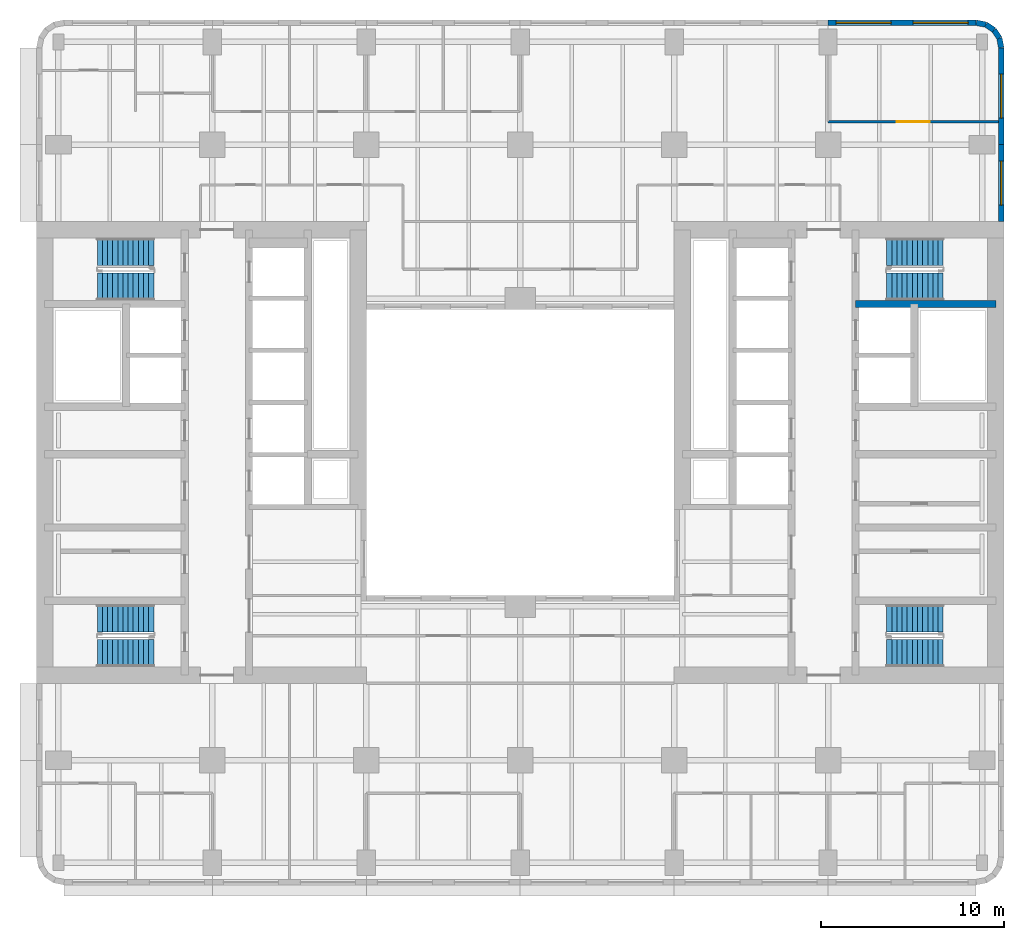
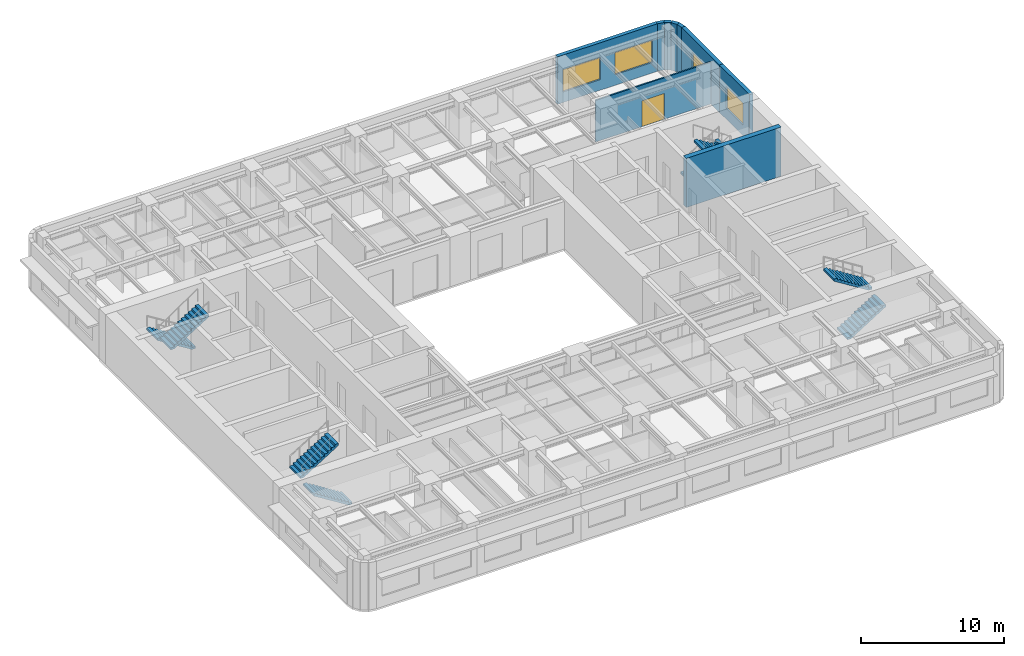
# One storey, part 8 of 11: 9 walls, 8 stair flights, 4 windows, 1 door, 5 openings, 4 elements without a shape of their own.
"""IFC4 building model written with IfcOpenShell, lengths in metres."""

from ifc_helpers import new_model, si_unit, direction, frame, frame_2d, origin, place, context, subcontext, project, spatial, polyline, rectangle, outline, extrude, material, layer, layer_set, type_object, element, fill, aggregate, save


model = new_model("IFC4")

# Units and contexts
model_context = context("Model", 3, precision=1e-05, world=origin(), true_north=direction((0.0, 1.0)))
body_context = subcontext(model_context, "Body", "Model", "MODEL_VIEW")
ifc_project = project(units=[si_unit("LENGTHUNIT", "METRE"), si_unit("AREAUNIT", "SQUARE_METRE"), si_unit("VOLUMEUNIT", "CUBIC_METRE"), si_unit("PLANEANGLEUNIT", "RADIAN"), si_unit("MASSUNIT", "GRAM", prefix="KILO")], contexts=[model_context])

# Site, building, storey
site_placement = place(None, origin())
site = spatial("IfcSite", under=ifc_project, at=site_placement, CompositionType="ELEMENT")
building_placement = place(site_placement, origin())
building = spatial("IfcBuilding", under=site, at=building_placement, Name="Claustro Exchange Tower", CompositionType="ELEMENT")
storey_placement = place(building_placement, frame((0.0, 0.0, 126.0)))
storey = spatial("IfcBuildingStorey", under=building, at=storey_placement, Name="L28", CompositionType="ELEMENT", Elevation=126.0)

# Wall, opening, door
ifc_material_1 = material(Name="Laminated glass in aluminium frame", Category="aluminium")
ifc_layer_1 = layer(ifc_material_1, 0.1201171875)
ifc_layer_set_1 = layer_set([ifc_layer_1], Name="Laminated glass in aluminium frame")
wall_type_1 = type_object("IfcWallType", Name="P2 120 glazed partition", PredefinedType="PARTITIONING", material=ifc_layer_set_1)
wall_1_placement = place(storey_placement, frame((42.0, 43.25, 0.0), z_axis=(0.0, 0.0, 1.0), x_axis=(1.0, 0.0, 0.0)))
wall_1 = element("IfcWall", 1, at=wall_1_placement, inside=storey, type_object=wall_type_1, Name="Partition P2 L28", PredefinedType="PARTITIONING", context=body_context, shape_type="SweptSolid", body=[
    extrude(rectangle(XDim=9.302001953125, YDim=0.1201171875, at=frame_2d((4.65087890625, 0.0))), origin(), (0.0, 0.0, 1.0), 3.550048828125),
])
opening_1_placement = place(wall_1_placement, frame((3.75, 0.0, 0.0)))
opening_1 = element("IfcOpeningElement", 2, at=opening_1_placement, cuts=wall_1, Name="Opening D2", PredefinedType="OPENING", context=body_context, shape_type="SweptSolid", body=[
    extrude(rectangle(XDim=1.800048828125, YDim=2.199951171875, at=frame_2d((0.89990234375, 1.10009765625))), frame((0.0, 0.070068359375, 0.0), z_axis=(0.0, -1.0, 0.0), x_axis=(1.0, 0.0, 0.0)), (0.0, 0.0, 1.0), 0.14013671875),
])
ifc_material_2 = material(Name="Timber door, oak veneer", Category="wood")
door_type = type_object("IfcDoorType", Name="D2 1800 x 2200 double door", OperationType="DOUBLE_DOOR_SINGLE_SWING", PredefinedType="DOOR", material=ifc_material_2)
door_placement = place(opening_1_placement, origin())
door = element("IfcDoor", 3, at=door_placement, inside=storey, type_object=door_type, Name="Double door D2 L28", OperationType="DOUBLE_DOOR_SINGLE_SWING", OverallHeight=2.199951171875, OverallWidth=1.800048828125, PredefinedType="DOOR", context=body_context, shape_type="SweptSolid", body=[
    extrude(rectangle(XDim=1.800048828125, YDim=2.199951171875, at=frame_2d((0.89990234375, 1.10009765625))), frame((0.0, 0.02490234375, 0.0), z_axis=(0.0, -1.0, 0.0), x_axis=(1.0, 0.0, 0.0)), (0.0, 0.0, 1.0), 0.050048828125),
])
fill(opening_1, door)

# Wall, openings, windows
ifc_material_3 = material(Name="Concrete HA-40 (C40/50), precast, white cement, acid-etched", Category="concrete")
ifc_layer_2 = layer(ifc_material_3, 0.300048828125)
ifc_layer_set_2 = layer_set([ifc_layer_2], Name="Concrete HA-40 (C40/50), precast, white cement, acid-etched")
wall_type_2 = type_object("IfcWallType", Name="PC1 300 precast concrete pier panel", PredefinedType="SOLIDWALL", material=ifc_layer_set_2)
wall_2_placement = place(storey_placement, frame((42.0, 48.64990234375, 0.0), z_axis=(0.0, 0.0, 1.0), x_axis=(1.0, 0.0, 0.0)))
wall_2 = element("IfcWall", 4, at=wall_2_placement, inside=storey, type_object=wall_type_2, Name="Precast pier panel PC1 L28", PredefinedType="SOLIDWALL", context=body_context, shape_type="SweptSolid", body=[
    extrude(rectangle(XDim=8.085205078125, YDim=0.300048828125, at=frame_2d((4.04248046875, 0.0))), origin(), (0.0, 0.0, 1.0), 4.050048828125),
])
opening_2_placement = place(wall_2_placement, frame((0.442626953125, 0.0, 0.89990234375)))
opening_2 = element("IfcOpeningElement", 5, at=opening_2_placement, cuts=wall_2, Name="Opening W1", PredefinedType="OPENING", context=body_context, shape_type="SweptSolid", body=[
    extrude(rectangle(XDim=3.0, YDim=1.89990234375, at=frame_2d((1.5, 0.949951171875))), frame((0.0, 0.159912109375, 0.0), z_axis=(0.0, -1.0, 0.0), x_axis=(1.0, 0.0, 0.0)), (0.0, 0.0, 1.0), 0.320068359375),
])
opening_3_placement = place(wall_2_placement, frame((4.642578125, 0.0, 0.89990234375)))
opening_3 = element("IfcOpeningElement", 6, at=opening_3_placement, cuts=wall_2, Name="Opening W1", PredefinedType="OPENING", context=body_context, shape_type="SweptSolid", body=[
    extrude(rectangle(XDim=3.0, YDim=1.89990234375, at=frame_2d((1.5, 0.949951171875))), frame((0.0, 0.159912109375, 0.0), z_axis=(0.0, -1.0, 0.0), x_axis=(1.0, 0.0, 0.0)), (0.0, 0.0, 1.0), 0.320068359375),
])
ifc_material_4 = material(Name="Aluminium frame, clear double glazing", Category="aluminium")
window_type_1 = type_object("IfcWindowType", Name="W1 3000 x 1900 window", PartitioningType="SINGLE_PANEL", PredefinedType="WINDOW", material=ifc_material_4)
window_1_placement = place(opening_2_placement, origin())
window_1 = element("IfcWindow", 7, at=window_1_placement, inside=storey, type_object=window_type_1, Name="Window W1 L28", OverallHeight=1.89990234375, OverallWidth=3.0, PartitioningType="SINGLE_PANEL", PredefinedType="WINDOW", context=body_context, shape_type="SweptSolid", body=[
    extrude(rectangle(XDim=3.0, YDim=1.89990234375, at=frame_2d((1.5, 0.949951171875))), frame((0.0, 0.030029296875, 0.0), z_axis=(0.0, -1.0, 0.0), x_axis=(1.0, 0.0, 0.0)), (0.0, 0.0, 1.0), 0.06005859375),
])
fill(opening_2, window_1)
window_2_placement = place(opening_3_placement, origin())
window_2 = element("IfcWindow", 8, at=window_2_placement, inside=storey, type_object=window_type_1, Name="Window W1 L28", OverallHeight=1.89990234375, OverallWidth=3.0, PartitioningType="SINGLE_PANEL", PredefinedType="WINDOW", context=body_context, shape_type="SweptSolid", body=[
    extrude(rectangle(XDim=3.0, YDim=1.89990234375, at=frame_2d((1.5, 0.949951171875))), frame((0.0, 0.030029296875, 0.0), z_axis=(0.0, -1.0, 0.0), x_axis=(1.0, 0.0, 0.0)), (0.0, 0.0, 1.0), 0.06005859375),
])
fill(opening_3, window_2)

# Walls
wall_3_placement = place(storey_placement, frame((50.085205078125, 48.64990234375, 0.0), z_axis=(0.0, 0.0, 1.0), x_axis=(0.980788534345, -0.195073962632, 0.0)))
element("IfcWall", 9, at=wall_3_placement, inside=storey, type_object=wall_type_2, Name="Precast pier panel PC1 L28", PredefinedType="SOLIDWALL", context=body_context, shape_type="SweptSolid", body=[
    extrude(rectangle(XDim=0.540771484375, YDim=0.300048828125, at=frame_2d((0.2705078125, 0.0))), origin(), (0.0, 0.0, 1.0), 4.050048828125),
])
wall_4_placement = place(storey_placement, frame((50.615478515625, 48.54443359375, 0.0), z_axis=(0.0, 0.0, 1.0), x_axis=(0.831692711774, -0.555236195849, 0.0)))
element("IfcWall", 10, at=wall_4_placement, inside=storey, type_object=wall_type_2, Name="Precast pier panel PC1 L28", PredefinedType="SOLIDWALL", context=body_context, shape_type="SweptSolid", body=[
    extrude(rectangle(XDim=0.525390625, YDim=0.300048828125, at=frame_2d((0.2626953125, 0.0))), origin(), (0.0, 0.0, 1.0), 4.050048828125),
])
wall_5_placement = place(storey_placement, frame((51.052490234375, 48.252685546875, 0.0), z_axis=(0.0, 0.0, 1.0), x_axis=(0.55534295404, -0.831621430339, 0.0)))
element("IfcWall", 11, at=wall_5_placement, inside=storey, type_object=wall_type_2, Name="Precast pier panel PC1 L28", PredefinedType="SOLIDWALL", context=body_context, shape_type="SweptSolid", body=[
    extrude(rectangle(XDim=0.52587890625, YDim=0.300048828125, at=frame_2d((0.262939453125, 0.0))), origin(), (0.0, 0.0, 1.0), 4.050048828125),
])
wall_6_placement = place(storey_placement, frame((51.344482421875, 47.8154296875, 0.0), z_axis=(0.0, 0.0, 1.0), x_axis=(0.195073962632, -0.980788534345, 0.0)))
element("IfcWall", 12, at=wall_6_placement, inside=storey, type_object=wall_type_2, Name="Precast pier panel PC1 L28", PredefinedType="SOLIDWALL", context=body_context, shape_type="SweptSolid", body=[
    extrude(rectangle(XDim=0.540771484375, YDim=0.300048828125, at=frame_2d((0.2705078125, 0.0))), origin(), (0.0, 0.0, 1.0), 4.050048828125),
])

# Wall, opening, window
wall_7_placement = place(storey_placement, frame((51.449951171875, 47.28515625, 0.0), z_axis=(0.0, 0.0, 1.0), x_axis=(0.0, -1.0, 0.0)))
wall_7 = element("IfcWall", 13, at=wall_7_placement, inside=storey, type_object=wall_type_2, Name="Precast pier panel PC1 L28", PredefinedType="SOLIDWALL", context=body_context, shape_type="SweptSolid", body=[
    extrude(rectangle(XDim=5.28515625, YDim=0.300048828125, at=frame_2d((2.642578125, 0.0))), origin(), (0.0, 0.0, 1.0), 4.050048828125),
])
opening_4_placement = place(wall_7_placement, frame((1.442626953125, 0.0, 0.89990234375)))
opening_4 = element("IfcOpeningElement", 14, at=opening_4_placement, cuts=wall_7, Name="Opening W2", PredefinedType="OPENING", context=body_context, shape_type="SweptSolid", body=[
    extrude(rectangle(XDim=2.39990234375, YDim=1.89990234375, at=frame_2d((1.199951171875, 0.949951171875))), frame((0.0, 0.159912109375, 0.0), z_axis=(0.0, -1.0, 0.0), x_axis=(1.0, 0.0, 0.0)), (0.0, 0.0, 1.0), 0.320068359375),
])
ifc_material_5 = material(Name="Aluminium frame, clear double glazing", Category="aluminium")
window_type_2 = type_object("IfcWindowType", Name="W2 2400 x 1900 window", PartitioningType="SINGLE_PANEL", PredefinedType="WINDOW", material=ifc_material_5)
window_3_placement = place(opening_4_placement, origin())
window_3 = element("IfcWindow", 15, at=window_3_placement, inside=storey, type_object=window_type_2, Name="Window W2 L28", OverallHeight=1.89990234375, OverallWidth=2.39990234375, PartitioningType="SINGLE_PANEL", PredefinedType="WINDOW", context=body_context, shape_type="SweptSolid", body=[
    extrude(rectangle(XDim=2.39990234375, YDim=1.89990234375, at=frame_2d((1.199951171875, 0.949951171875))), frame((0.0, 0.030029296875, 0.0), z_axis=(0.0, -1.0, 0.0), x_axis=(1.0, 0.0, 0.0)), (0.0, 0.0, 1.0), 0.06005859375),
])
fill(opening_4, window_3)

wall_8_placement = place(storey_placement, frame((51.449951171875, 42.0, 0.0), z_axis=(0.0, 0.0, 1.0), x_axis=(0.0, -1.0, 0.0)))
wall_8 = element("IfcWall", 16, at=wall_8_placement, inside=storey, type_object=wall_type_2, Name="Precast pier panel PC1 L28", PredefinedType="SOLIDWALL", context=body_context, shape_type="SweptSolid", body=[
    extrude(rectangle(XDim=4.199951171875, YDim=0.300048828125, at=frame_2d((2.10009765625, 0.0))), origin(), (0.0, 0.0, 1.0), 4.050048828125),
])
opening_5_placement = place(wall_8_placement, frame((0.89990234375, 0.0, 0.89990234375)))
opening_5 = element("IfcOpeningElement", 17, at=opening_5_placement, cuts=wall_8, Name="Opening W2", PredefinedType="OPENING", context=body_context, shape_type="SweptSolid", body=[
    extrude(rectangle(XDim=2.39990234375, YDim=1.89990234375, at=frame_2d((1.199951171875, 0.949951171875))), frame((0.0, 0.159912109375, 0.0), z_axis=(0.0, -1.0, 0.0), x_axis=(1.0, 0.0, 0.0)), (0.0, 0.0, 1.0), 0.320068359375),
])
window_4_placement = place(opening_5_placement, origin())
window_4 = element("IfcWindow", 18, at=window_4_placement, inside=storey, type_object=window_type_2, Name="Window W2 L28", OverallHeight=1.89990234375, OverallWidth=2.39990234375, PartitioningType="SINGLE_PANEL", PredefinedType="WINDOW", context=body_context, shape_type="SweptSolid", body=[
    extrude(rectangle(XDim=2.39990234375, YDim=1.89990234375, at=frame_2d((1.199951171875, 0.949951171875))), frame((0.0, 0.030029296875, 0.0), z_axis=(0.0, -1.0, 0.0), x_axis=(1.0, 0.0, 0.0)), (0.0, 0.0, 1.0), 0.06005859375),
])
fill(opening_5, window_4)

# Wall
ifc_material_6 = material(Name="Concrete HA-50 (C50/60)", Category="concrete")
ifc_layer_3 = layer(ifc_material_6, 0.39990234375)
ifc_layer_set_3 = layer_set([ifc_layer_3], Name="Concrete HA-50 (C50/60)")
wall_type_3 = type_object("IfcWallType", Name="SW4 400 internal core wall", PredefinedType="SHEAR", material=ifc_layer_set_3)
wall_9_placement = place(storey_placement, frame((51.14990234375, 33.300048828125, 0.0), z_axis=(0.0, 0.0, 1.0), x_axis=(-1.0, 0.0, 0.0)))
element("IfcWall", 19, at=wall_9_placement, inside=storey, type_object=wall_type_3, Name="Internal core wall SW4 E core L28", PredefinedType="SHEAR", context=body_context, shape_type="SweptSolid", body=[
    extrude(rectangle(XDim=7.64990234375, YDim=0.39990234375, at=frame_2d((3.824951171875, 0.0))), origin(), (0.0, 0.0, 1.0), 4.199951171875),
])

# Stair, stair flights
ifc_material_7 = material(Name="Concrete HA-30 (C30/37), precast", Category="concrete")
stair_type = type_object("IfcStairType", Name="ST1 half-turn stair, 24 risers of 175", PredefinedType="HALF_TURN_STAIR", material=ifc_material_7)
stair_1_placement = place(storey_placement, origin())
stair_1 = element("IfcStair", 20, at=stair_1_placement, inside=storey, type_object=stair_type, Name="Stair STWA L28", PredefinedType="HALF_TURN_STAIR")
ifc_material_8 = material(Name="Concrete HA-30 (C30/37), precast", Category="concrete")
stair_flight_type = type_object("IfcStairFlightType", Name="SF12A straight flight, 12 risers of 175, 1500 wide", PredefinedType="STRAIGHT", material=ifc_material_8)
stair_flight_1_placement = place(storey_placement, frame((5.199951171875, 14.25, 0.0), z_axis=(0.0, 0.0, 1.0), x_axis=(-1.0, 0.0, 0.0)))
stair_flight_1 = element("IfcStairFlight", 21, at=stair_flight_1_placement, type_object=stair_flight_type, Name="STWA flight 1", NumberOfRisers=12, NumberOfTreads=11, PredefinedType="STRAIGHT", RiserHeight=0.175, TreadLength=0.28, context=body_context, shape_type="SweptSolid", body=[
    extrude(outline(polyline([(0.0, 0.0), (0.0, 0.175048828125), (0.280029296875, 0.175048828125), (0.280029296875, 0.35009765625), (0.56005859375, 0.35009765625), (0.56005859375, 0.52490234375), (0.840087890625, 0.52490234375), (0.840087890625, 0.699951171875), (1.1201171875, 0.699951171875), (1.1201171875, 0.875), (1.39990234375, 0.875), (1.39990234375, 1.050048828125), (1.679931640625, 1.050048828125), (1.679931640625, 1.22509765625), (1.9599609375, 1.22509765625), (1.9599609375, 1.39990234375), (2.239990234375, 1.39990234375), (2.239990234375, 1.574951171875), (2.52001953125, 1.574951171875), (2.52001953125, 1.75), (2.800048828125, 1.75), (2.800048828125, 1.925048828125), (3.080078125, 1.925048828125), (3.080078125, 2.10009765625), (3.080078125, 1.748291015625), (0.28271484375, 0.0), (0.0, 0.0)])), frame((0.0, 0.75, 0.0), z_axis=(0.0, -1.0, 0.0), x_axis=(1.0, 0.0, 0.0)), (0.0, 0.0, 1.0), 1.5),
])
stair_flight_2_placement = place(storey_placement, frame((2.1201171875, 16.14990234375, 2.10009765625), z_axis=(0.0, 0.0, 1.0), x_axis=(1.0, 0.0, 0.0)))
stair_flight_2 = element("IfcStairFlight", 22, at=stair_flight_2_placement, type_object=stair_flight_type, Name="STWA flight 2", NumberOfRisers=12, NumberOfTreads=11, PredefinedType="STRAIGHT", RiserHeight=0.175, TreadLength=0.28, context=body_context, shape_type="SweptSolid", body=[
    extrude(outline(polyline([(0.0, 0.0), (0.0, 0.175048828125), (0.280029296875, 0.175048828125), (0.280029296875, 0.35009765625), (0.56005859375, 0.35009765625), (0.56005859375, 0.52490234375), (0.840087890625, 0.52490234375), (0.840087890625, 0.699951171875), (1.1201171875, 0.699951171875), (1.1201171875, 0.875), (1.39990234375, 0.875), (1.39990234375, 1.050048828125), (1.679931640625, 1.050048828125), (1.679931640625, 1.22509765625), (1.9599609375, 1.22509765625), (1.9599609375, 1.39990234375), (2.239990234375, 1.39990234375), (2.239990234375, 1.574951171875), (2.52001953125, 1.574951171875), (2.52001953125, 1.75), (2.800048828125, 1.75), (2.800048828125, 1.925048828125), (3.080078125, 1.925048828125), (3.080078125, 2.10009765625), (3.080078125, 1.748291015625), (0.28271484375, 0.0), (0.0, 0.0)])), frame((0.0, 0.75, 0.0), z_axis=(0.0, -1.0, 0.0), x_axis=(1.0, 0.0, 0.0)), (0.0, 0.0, 1.0), 1.5),
])
aggregate(stair_1, [stair_flight_1, stair_flight_2])

stair_2_placement = place(storey_placement, origin())
stair_2 = element("IfcStair", 23, at=stair_2_placement, inside=storey, type_object=stair_type, Name="Stair STWB L28", PredefinedType="HALF_TURN_STAIR")
stair_flight_3_placement = place(storey_placement, frame((5.199951171875, 36.14990234375, 0.0), z_axis=(0.0, 0.0, 1.0), x_axis=(-1.0, 0.0, 0.0)))
stair_flight_3 = element("IfcStairFlight", 24, at=stair_flight_3_placement, type_object=stair_flight_type, Name="STWB flight 1", NumberOfRisers=12, NumberOfTreads=11, PredefinedType="STRAIGHT", RiserHeight=0.175, TreadLength=0.28, context=body_context, shape_type="SweptSolid", body=[
    extrude(outline(polyline([(0.0, 0.0), (0.0, 0.175048828125), (0.280029296875, 0.175048828125), (0.280029296875, 0.35009765625), (0.56005859375, 0.35009765625), (0.56005859375, 0.52490234375), (0.840087890625, 0.52490234375), (0.840087890625, 0.699951171875), (1.1201171875, 0.699951171875), (1.1201171875, 0.875), (1.39990234375, 0.875), (1.39990234375, 1.050048828125), (1.679931640625, 1.050048828125), (1.679931640625, 1.22509765625), (1.9599609375, 1.22509765625), (1.9599609375, 1.39990234375), (2.239990234375, 1.39990234375), (2.239990234375, 1.574951171875), (2.52001953125, 1.574951171875), (2.52001953125, 1.75), (2.800048828125, 1.75), (2.800048828125, 1.925048828125), (3.080078125, 1.925048828125), (3.080078125, 2.10009765625), (3.080078125, 1.748291015625), (0.28271484375, 0.0), (0.0, 0.0)])), frame((0.0, 0.75, 0.0), z_axis=(0.0, -1.0, 0.0), x_axis=(1.0, 0.0, 0.0)), (0.0, 0.0, 1.0), 1.5),
])
stair_flight_4_placement = place(storey_placement, frame((2.1201171875, 34.25, 2.10009765625), z_axis=(0.0, 0.0, 1.0), x_axis=(1.0, 0.0, 0.0)))
stair_flight_4 = element("IfcStairFlight", 25, at=stair_flight_4_placement, type_object=stair_flight_type, Name="STWB flight 2", NumberOfRisers=12, NumberOfTreads=11, PredefinedType="STRAIGHT", RiserHeight=0.175, TreadLength=0.28, context=body_context, shape_type="SweptSolid", body=[
    extrude(outline(polyline([(0.0, 0.0), (0.0, 0.175048828125), (0.280029296875, 0.175048828125), (0.280029296875, 0.35009765625), (0.56005859375, 0.35009765625), (0.56005859375, 0.52490234375), (0.840087890625, 0.52490234375), (0.840087890625, 0.699951171875), (1.1201171875, 0.699951171875), (1.1201171875, 0.875), (1.39990234375, 0.875), (1.39990234375, 1.050048828125), (1.679931640625, 1.050048828125), (1.679931640625, 1.22509765625), (1.9599609375, 1.22509765625), (1.9599609375, 1.39990234375), (2.239990234375, 1.39990234375), (2.239990234375, 1.574951171875), (2.52001953125, 1.574951171875), (2.52001953125, 1.75), (2.800048828125, 1.75), (2.800048828125, 1.925048828125), (3.080078125, 1.925048828125), (3.080078125, 2.10009765625), (3.080078125, 1.748291015625), (0.28271484375, 0.0), (0.0, 0.0)])), frame((0.0, 0.75, 0.0), z_axis=(0.0, -1.0, 0.0), x_axis=(1.0, 0.0, 0.0)), (0.0, 0.0, 1.0), 1.5),
])
aggregate(stair_2, [stair_flight_3, stair_flight_4])

stair_3_placement = place(storey_placement, origin())
stair_3 = element("IfcStair", 26, at=stair_3_placement, inside=storey, type_object=stair_type, Name="Stair STEA L28", PredefinedType="HALF_TURN_STAIR")
stair_flight_5_placement = place(storey_placement, frame((45.199951171875, 14.25, 0.0), z_axis=(0.0, 0.0, 1.0), x_axis=(1.0, 0.0, 0.0)))
stair_flight_5 = element("IfcStairFlight", 27, at=stair_flight_5_placement, type_object=stair_flight_type, Name="STEA flight 1", NumberOfRisers=12, NumberOfTreads=11, PredefinedType="STRAIGHT", RiserHeight=0.175, TreadLength=0.28, context=body_context, shape_type="SweptSolid", body=[
    extrude(outline(polyline([(0.0, 0.0), (0.0, 0.175048828125), (0.280029296875, 0.175048828125), (0.280029296875, 0.35009765625), (0.56005859375, 0.35009765625), (0.56005859375, 0.52490234375), (0.840087890625, 0.52490234375), (0.840087890625, 0.699951171875), (1.1201171875, 0.699951171875), (1.1201171875, 0.875), (1.39990234375, 0.875), (1.39990234375, 1.050048828125), (1.679931640625, 1.050048828125), (1.679931640625, 1.22509765625), (1.9599609375, 1.22509765625), (1.9599609375, 1.39990234375), (2.239990234375, 1.39990234375), (2.239990234375, 1.574951171875), (2.52001953125, 1.574951171875), (2.52001953125, 1.75), (2.800048828125, 1.75), (2.800048828125, 1.925048828125), (3.080078125, 1.925048828125), (3.080078125, 2.10009765625), (3.080078125, 1.748291015625), (0.28271484375, 0.0), (0.0, 0.0)])), frame((0.0, 0.75, 0.0), z_axis=(0.0, -1.0, 0.0), x_axis=(1.0, 0.0, 0.0)), (0.0, 0.0, 1.0), 1.5),
])
stair_flight_6_placement = place(storey_placement, frame((48.280029296875, 16.14990234375, 2.10009765625), z_axis=(0.0, 0.0, 1.0), x_axis=(-1.0, 0.0, 0.0)))
stair_flight_6 = element("IfcStairFlight", 28, at=stair_flight_6_placement, type_object=stair_flight_type, Name="STEA flight 2", NumberOfRisers=12, NumberOfTreads=11, PredefinedType="STRAIGHT", RiserHeight=0.175, TreadLength=0.28, context=body_context, shape_type="SweptSolid", body=[
    extrude(outline(polyline([(0.0, 0.0), (0.0, 0.175048828125), (0.280029296875, 0.175048828125), (0.280029296875, 0.35009765625), (0.56005859375, 0.35009765625), (0.56005859375, 0.52490234375), (0.840087890625, 0.52490234375), (0.840087890625, 0.699951171875), (1.1201171875, 0.699951171875), (1.1201171875, 0.875), (1.39990234375, 0.875), (1.39990234375, 1.050048828125), (1.679931640625, 1.050048828125), (1.679931640625, 1.22509765625), (1.9599609375, 1.22509765625), (1.9599609375, 1.39990234375), (2.239990234375, 1.39990234375), (2.239990234375, 1.574951171875), (2.52001953125, 1.574951171875), (2.52001953125, 1.75), (2.800048828125, 1.75), (2.800048828125, 1.925048828125), (3.080078125, 1.925048828125), (3.080078125, 2.10009765625), (3.080078125, 1.748291015625), (0.28271484375, 0.0), (0.0, 0.0)])), frame((0.0, 0.75, 0.0), z_axis=(0.0, -1.0, 0.0), x_axis=(1.0, 0.0, 0.0)), (0.0, 0.0, 1.0), 1.5),
])
aggregate(stair_3, [stair_flight_5, stair_flight_6])

stair_4_placement = place(storey_placement, origin())
stair_4 = element("IfcStair", 29, at=stair_4_placement, inside=storey, type_object=stair_type, Name="Stair STEB L28", PredefinedType="HALF_TURN_STAIR")
stair_flight_7_placement = place(storey_placement, frame((45.199951171875, 36.14990234375, 0.0), z_axis=(0.0, 0.0, 1.0), x_axis=(1.0, 0.0, 0.0)))
stair_flight_7 = element("IfcStairFlight", 30, at=stair_flight_7_placement, type_object=stair_flight_type, Name="STEB flight 1", NumberOfRisers=12, NumberOfTreads=11, PredefinedType="STRAIGHT", RiserHeight=0.175, TreadLength=0.28, context=body_context, shape_type="SweptSolid", body=[
    extrude(outline(polyline([(0.0, 0.0), (0.0, 0.175048828125), (0.280029296875, 0.175048828125), (0.280029296875, 0.35009765625), (0.56005859375, 0.35009765625), (0.56005859375, 0.52490234375), (0.840087890625, 0.52490234375), (0.840087890625, 0.699951171875), (1.1201171875, 0.699951171875), (1.1201171875, 0.875), (1.39990234375, 0.875), (1.39990234375, 1.050048828125), (1.679931640625, 1.050048828125), (1.679931640625, 1.22509765625), (1.9599609375, 1.22509765625), (1.9599609375, 1.39990234375), (2.239990234375, 1.39990234375), (2.239990234375, 1.574951171875), (2.52001953125, 1.574951171875), (2.52001953125, 1.75), (2.800048828125, 1.75), (2.800048828125, 1.925048828125), (3.080078125, 1.925048828125), (3.080078125, 2.10009765625), (3.080078125, 1.748291015625), (0.28271484375, 0.0), (0.0, 0.0)])), frame((0.0, 0.75, 0.0), z_axis=(0.0, -1.0, 0.0), x_axis=(1.0, 0.0, 0.0)), (0.0, 0.0, 1.0), 1.5),
])
stair_flight_8_placement = place(storey_placement, frame((48.280029296875, 34.25, 2.10009765625), z_axis=(0.0, 0.0, 1.0), x_axis=(-1.0, 0.0, 0.0)))
stair_flight_8 = element("IfcStairFlight", 31, at=stair_flight_8_placement, type_object=stair_flight_type, Name="STEB flight 2", NumberOfRisers=12, NumberOfTreads=11, PredefinedType="STRAIGHT", RiserHeight=0.175, TreadLength=0.28, context=body_context, shape_type="SweptSolid", body=[
    extrude(outline(polyline([(0.0, 0.0), (0.0, 0.175048828125), (0.280029296875, 0.175048828125), (0.280029296875, 0.35009765625), (0.56005859375, 0.35009765625), (0.56005859375, 0.52490234375), (0.840087890625, 0.52490234375), (0.840087890625, 0.699951171875), (1.1201171875, 0.699951171875), (1.1201171875, 0.875), (1.39990234375, 0.875), (1.39990234375, 1.050048828125), (1.679931640625, 1.050048828125), (1.679931640625, 1.22509765625), (1.9599609375, 1.22509765625), (1.9599609375, 1.39990234375), (2.239990234375, 1.39990234375), (2.239990234375, 1.574951171875), (2.52001953125, 1.574951171875), (2.52001953125, 1.75), (2.800048828125, 1.75), (2.800048828125, 1.925048828125), (3.080078125, 1.925048828125), (3.080078125, 2.10009765625), (3.080078125, 1.748291015625), (0.28271484375, 0.0), (0.0, 0.0)])), frame((0.0, 0.75, 0.0), z_axis=(0.0, -1.0, 0.0), x_axis=(1.0, 0.0, 0.0)), (0.0, 0.0, 1.0), 1.5),
])
aggregate(stair_4, [stair_flight_7, stair_flight_8])

save(model, "model.ifc")
